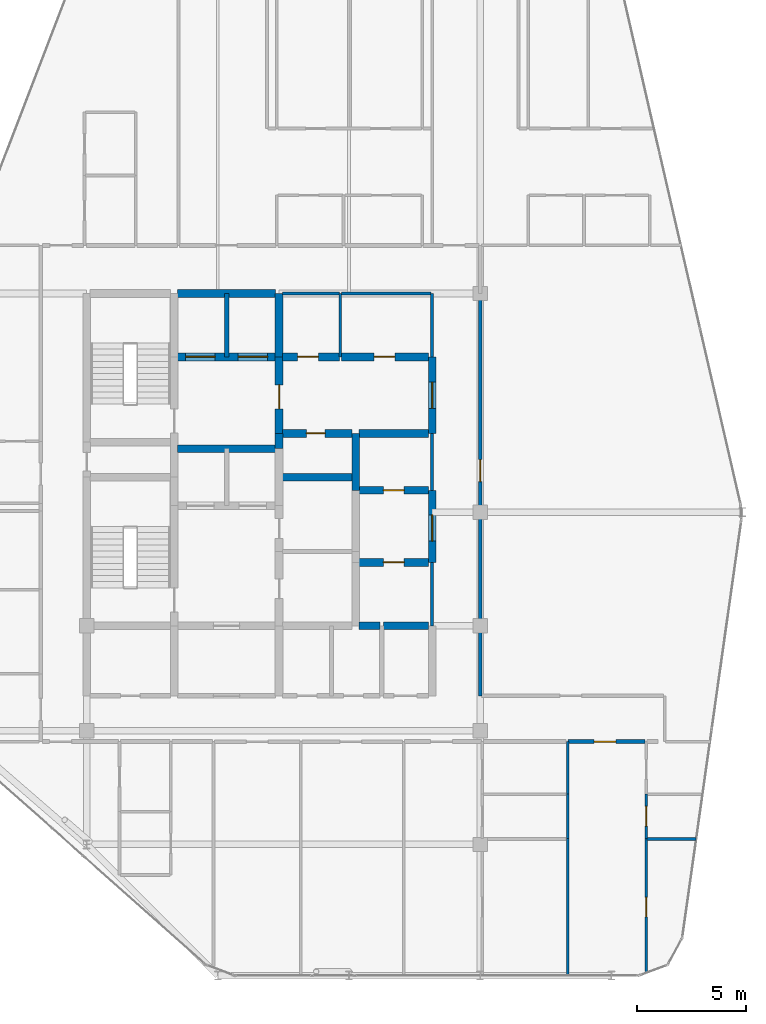
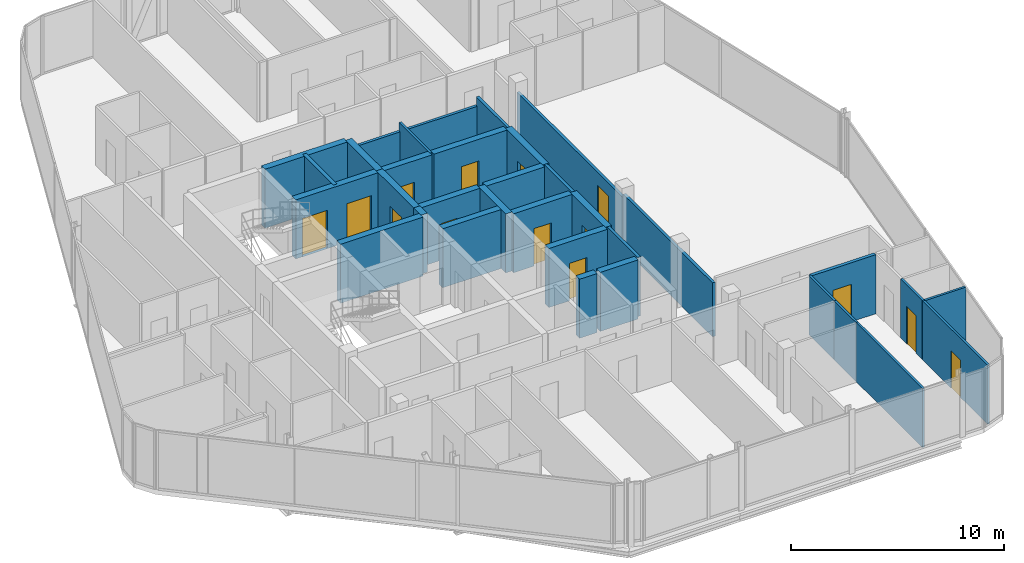
# One storey, part 24 of 27: 34 walls, 14 doors, 14 openings.
"""IFC4 building model written with IfcOpenShell, lengths in metres."""

from ifc_helpers import new_model, si_unit, direction, frame, frame_2d, origin, place, context, subcontext, project, spatial, rectangle, extrude, material, layer, layer_set, type_object, element, fill, save


model = new_model("IFC4")

# Units and contexts
model_context = context("Model", 3, precision=1e-05, world=origin(), true_north=direction((0.0, 1.0)))
body_context = subcontext(model_context, "Body", "Model", "MODEL_VIEW")
ifc_project = project(units=[si_unit("LENGTHUNIT", "METRE"), si_unit("AREAUNIT", "SQUARE_METRE"), si_unit("VOLUMEUNIT", "CUBIC_METRE"), si_unit("PLANEANGLEUNIT", "RADIAN"), si_unit("MASSUNIT", "GRAM", prefix="KILO")], contexts=[model_context])

# Site, building, storey
site_placement = place(None, origin())
site = spatial("IfcSite", under=ifc_project, at=site_placement, CompositionType="ELEMENT")
building_placement = place(site_placement, origin())
building = spatial("IfcBuilding", under=site, at=building_placement, Name="Keshet Zoharim Tower", CompositionType="ELEMENT")
storey_placement = place(building_placement, frame((0.0, 0.0, 284.300048828125)))
storey = spatial("IfcBuildingStorey", under=building, at=storey_placement, Name="L71", CompositionType="ELEMENT", Elevation=284.300048828125)

# Walls
ifc_material_1 = material(Name="Gypsum Plasterboard", Category="gypsum")
ifc_layer_1 = layer(ifc_material_1, 0.14990234375)
ifc_layer_set_1 = layer_set([ifc_layer_1], Name="Gypsum Plasterboard")
wall_type_1 = type_object("IfcWallType", Name="WL-CLIN-150", PredefinedType="STANDARD", material=ifc_layer_set_1)
wall_1_placement = place(storey_placement, frame((30.800048828125, 22.699951171875, 0.0), z_axis=(0.0, 0.0, 1.0), x_axis=(0.0, 1.0, 0.0)))
element("IfcWall", 1, at=wall_1_placement, inside=storey, type_object=wall_type_1, Name="L71 Interior Wall 059", PredefinedType="STANDARD", context=body_context, shape_type="SweptSolid", body=[
    extrude(rectangle(XDim=2.900146484375, YDim=0.14990234375, at=frame_2d((1.4501953125, 0.0))), origin(), (0.0, 0.0, 1.0), 3.389892578125),
])
wall_2_placement = place(storey_placement, frame((30.800048828125, 28.89990234375, 0.0), z_axis=(0.0, 0.0, 1.0), x_axis=(0.0, 1.0, 0.0)))
element("IfcWall", 2, at=wall_2_placement, inside=storey, type_object=wall_type_1, Name="L71 Interior Wall 061", PredefinedType="STANDARD", context=body_context, shape_type="SweptSolid", body=[
    extrude(rectangle(XDim=2.60009765625, YDim=0.14990234375, at=frame_2d((1.300048828125, 0.0))), origin(), (0.0, 0.0, 1.0), 3.389892578125),
])
wall_3_placement = place(storey_placement, frame((30.800048828125, 35.0, 0.0), z_axis=(0.0, 0.0, 1.0), x_axis=(0.0, 1.0, 0.0)))
element("IfcWall", 3, at=wall_3_placement, inside=storey, type_object=wall_type_1, Name="L71 Interior Wall 063", PredefinedType="STANDARD", context=body_context, shape_type="SweptSolid", body=[
    extrude(rectangle(XDim=2.89990234375, YDim=0.14990234375, at=frame_2d((1.449951171875, 0.0))), origin(), (0.0, 0.0, 1.0), 3.389892578125),
])
wall_4_placement = place(storey_placement, frame((33.0, 19.5, 0.0), z_axis=(0.0, 0.0, 1.0), x_axis=(0.0, 1.0, 0.0)))
element("IfcWall", 4, at=wall_4_placement, inside=storey, type_object=wall_type_1, Name="L71 Interior Wall 065", PredefinedType="STANDARD", context=body_context, shape_type="SweptSolid", body=[
    extrude(rectangle(XDim=8.39990234375, YDim=0.14990234375, at=frame_2d((4.199951171875, 0.0))), origin(), (0.0, 0.0, 1.0), 3.099853515625),
])
wall_5_placement = place(storey_placement, frame((23.9599609375, 37.89990234375, 0.0), z_axis=(0.0, 0.0, 1.0), x_axis=(1.0, 0.0, 0.0)))
element("IfcWall", 5, at=wall_5_placement, inside=storey, type_object=wall_type_1, Name="L71 Interior Wall 135", PredefinedType="STANDARD", context=body_context, shape_type="SweptSolid", body=[
    extrude(rectangle(XDim=2.594970703125, YDim=0.14990234375, at=frame_2d((1.29736328125, 0.0))), origin(), (0.0, 0.0, 1.0), 2.889892578125),
])
wall_6_placement = place(storey_placement, frame((26.64501953125, 37.89990234375, 0.0), z_axis=(0.0, 0.0, 1.0), x_axis=(1.0, 0.0, 0.0)))
element("IfcWall", 6, at=wall_6_placement, inside=storey, type_object=wall_type_1, Name="L71 Interior Wall 136", PredefinedType="STANDARD", context=body_context, shape_type="SweptSolid", body=[
    extrude(rectangle(XDim=4.094970703125, YDim=0.14990234375, at=frame_2d((2.04736328125, 0.0))), origin(), (0.0, 0.0, 1.0), 2.889892578125),
])

# Wall, opening, door
wall_7_placement = place(storey_placement, frame((33.0, 27.89990234375, 0.0), z_axis=(0.0, 0.0, 1.0), x_axis=(0.0, 1.0, 0.0)))
wall_7 = element("IfcWall", 7, at=wall_7_placement, inside=storey, type_object=wall_type_1, Name="L71 Interior Wall 065 Part 2", PredefinedType="STANDARD", context=body_context, shape_type="SweptSolid", body=[
    extrude(rectangle(XDim=10.0, YDim=0.14990234375, at=frame_2d((5.0, 0.0))), origin(), (0.0, 0.0, 1.0), 2.889892578125),
])
opening_1_placement = place(wall_7_placement, frame((1.39990234375, 0.0, 0.0)))
opening_1 = element("IfcOpeningElement", 8, at=opening_1_placement, cuts=wall_7, Name="Opening D-F310", PredefinedType="OPENING", context=body_context, shape_type="SweptSolid", body=[
    extrude(rectangle(XDim=1.0, YDim=2.14990234375, at=frame_2d((0.5, 1.074951171875))), frame((0.0, 0.0849609375, 0.0), z_axis=(0.0, -1.0, 0.0), x_axis=(1.0, 0.0, 0.0)), (0.0, 0.0, 1.0), 0.169921875),
])
ifc_material_2 = material(Name="Hardwood Timber", Category="wood")
door_type_1 = type_object("IfcDoorType", Name="DR-FD30-100", OperationType="NOTDEFINED", PredefinedType="DOOR", material=ifc_material_2)
door_1_placement = place(opening_1_placement, origin())
door_1 = element("IfcDoor", 9, at=door_1_placement, inside=storey, type_object=door_type_1, Name="L71 North West Residents Services Suite Door 1", OperationType="SINGLE_SWING_LEFT", OverallHeight=2.14990234375, OverallWidth=1.0, PredefinedType="DOOR", context=body_context, shape_type="SweptSolid", body=[
    extrude(rectangle(XDim=1.0, YDim=2.14990234375, at=frame_2d((0.5, 1.074951171875))), frame((0.0, 0.02490234375, 0.0), z_axis=(0.0, -1.0, 0.0), x_axis=(1.0, 0.0, 0.0)), (0.0, 0.0, 1.0), 0.050048828125),
])
fill(opening_1, door_1)

# Wall
ifc_material_3 = material(Name="Concrete C60/75", Category="concrete")
ifc_layer_2 = layer(ifc_material_3, 0.35009765625)
ifc_layer_set_2 = layer_set([ifc_layer_2], Name="Concrete C60/75")
wall_type_2 = type_object("IfcWallType", Name="WL-CORE-350", PredefinedType="SHEAR", material=ifc_layer_set_2)
wall_8_placement = place(storey_placement, frame((23.800048828125, 30.800048828125, 0.0), z_axis=(0.0, 0.0, 1.0), x_axis=(0.0, 1.0, 0.0)))
element("IfcWall", 10, at=wall_8_placement, inside=storey, type_object=wall_type_2, Name="L71 Core Shear Wall 042", PredefinedType="SHEAR", context=body_context, shape_type="SweptSolid", body=[
    extrude(rectangle(XDim=0.699951171875, YDim=0.35009765625, at=frame_2d((0.35009765625, 0.0))), origin(), (0.0, 0.0, 1.0), 3.389892578125),
])

# Wall, opening, door
wall_9_placement = place(storey_placement, frame((23.800048828125, 31.5, 0.0), z_axis=(0.0, 0.0, 1.0), x_axis=(0.0, 1.0, 0.0)))
wall_9 = element("IfcWall", 11, at=wall_9_placement, inside=storey, type_object=wall_type_2, Name="L71 Core Shear Wall 043", PredefinedType="SHEAR", context=body_context, shape_type="SweptSolid", body=[
    extrude(rectangle(XDim=3.5, YDim=0.35009765625, at=frame_2d((1.75, 0.0))), origin(), (0.0, 0.0, 1.0), 3.389892578125),
])
opening_2_placement = place(wall_9_placement, frame((1.126953125, 0.0, 0.0)))
opening_2 = element("IfcOpeningElement", 12, at=opening_2_placement, cuts=wall_9, Name="Opening D-F611", PredefinedType="OPENING", context=body_context, shape_type="SweptSolid", body=[
    extrude(rectangle(XDim=1.10009765625, YDim=2.14990234375, at=frame_2d((0.550048828125, 1.074951171875))), frame((0.0, 0.18505859375, 0.0), z_axis=(0.0, -1.0, 0.0), x_axis=(1.0, 0.0, 0.0)), (0.0, 0.0, 1.0), 0.3701171875),
])
door_type_2 = type_object("IfcDoorType", Name="DR-FD60-110", OperationType="NOTDEFINED", PredefinedType="DOOR", material=ifc_material_2)
door_2_placement = place(opening_2_placement, origin())
door_2 = element("IfcDoor", 13, at=door_2_placement, inside=storey, type_object=door_type_2, Name="L71 Firefighting Lobby Fire Door", OperationType="SINGLE_SWING_RIGHT", OverallHeight=2.14990234375, OverallWidth=1.10009765625, PredefinedType="DOOR", context=body_context, shape_type="SweptSolid", body=[
    extrude(rectangle(XDim=1.10009765625, YDim=2.14990234375, at=frame_2d((0.550048828125, 1.074951171875))), frame((0.0, 0.02490234375, 0.0), z_axis=(0.0, -1.0, 0.0), x_axis=(1.0, 0.0, 0.0)), (0.0, 0.0, 1.0), 0.050048828125),
])
fill(opening_2, door_2)

# Walls
wall_10_placement = place(storey_placement, frame((23.800048828125, 35.0, 0.0), z_axis=(0.0, 0.0, 1.0), x_axis=(0.0, 1.0, 0.0)))
element("IfcWall", 14, at=wall_10_placement, inside=storey, type_object=wall_type_2, Name="L71 Core Shear Wall 044", PredefinedType="SHEAR", context=body_context, shape_type="SweptSolid", body=[
    extrude(rectangle(XDim=2.89990234375, YDim=0.35009765625, at=frame_2d((1.449951171875, 0.0))), origin(), (0.0, 0.0, 1.0), 3.389892578125),
])
wall_11_placement = place(storey_placement, frame((27.300048828125, 28.89990234375, 0.0), z_axis=(0.0, 0.0, 1.0), x_axis=(0.0, 1.0, 0.0)))
element("IfcWall", 15, at=wall_11_placement, inside=storey, type_object=wall_type_2, Name="L71 Core Shear Wall 053", PredefinedType="SHEAR", context=body_context, shape_type="SweptSolid", body=[
    extrude(rectangle(XDim=2.60009765625, YDim=0.35009765625, at=frame_2d((1.300048828125, 0.0))), origin(), (0.0, 0.0, 1.0), 3.389892578125),
])

# Wall, opening, door
wall_12_placement = place(storey_placement, frame((30.800048828125, 25.60009765625, 0.0), z_axis=(0.0, 0.0, 1.0), x_axis=(0.0, 1.0, 0.0)))
wall_12 = element("IfcWall", 16, at=wall_12_placement, inside=storey, type_object=wall_type_2, Name="L71 Core Shear Wall 060", PredefinedType="SHEAR", context=body_context, shape_type="SweptSolid", body=[
    extrude(rectangle(XDim=3.2998046875, YDim=0.35009765625, at=frame_2d((1.64990234375, 0.0))), origin(), (0.0, 0.0, 1.0), 3.389892578125),
])
opening_3_placement = place(wall_12_placement, frame((0.97802734375, 0.0, 0.0)))
opening_3 = element("IfcOpeningElement", 17, at=opening_3_placement, cuts=wall_12, Name="Opening D-F612", PredefinedType="OPENING", context=body_context, shape_type="SweptSolid", body=[
    extrude(rectangle(XDim=1.199951171875, YDim=2.199951171875, at=frame_2d((0.60009765625, 1.10009765625))), frame((0.0, 0.18505859375, 0.0), z_axis=(0.0, -1.0, 0.0), x_axis=(1.0, 0.0, 0.0)), (0.0, 0.0, 1.0), 0.3701171875),
])
door_type_3 = type_object("IfcDoorType", Name="DR-FD60-120", OperationType="NOTDEFINED", PredefinedType="DOOR", material=ifc_material_2)
door_3_placement = place(opening_3_placement, origin())
door_3 = element("IfcDoor", 18, at=door_3_placement, inside=storey, type_object=door_type_3, Name="L71 East Lift Lobby Fire Door", OperationType="SINGLE_SWING_LEFT", OverallHeight=2.199951171875, OverallWidth=1.199951171875, PredefinedType="DOOR", context=body_context, shape_type="SweptSolid", body=[
    extrude(rectangle(XDim=1.199951171875, YDim=2.199951171875, at=frame_2d((0.60009765625, 1.10009765625))), frame((0.0, 0.02490234375, 0.0), z_axis=(0.0, -1.0, 0.0), x_axis=(1.0, 0.0, 0.0)), (0.0, 0.0, 1.0), 0.050048828125),
])
fill(opening_3, door_3)

wall_13_placement = place(storey_placement, frame((30.800048828125, 31.5, 0.0), z_axis=(0.0, 0.0, 1.0), x_axis=(0.0, 1.0, 0.0)))
wall_13 = element("IfcWall", 19, at=wall_13_placement, inside=storey, type_object=wall_type_2, Name="L71 Core Shear Wall 062", PredefinedType="SHEAR", context=body_context, shape_type="SweptSolid", body=[
    extrude(rectangle(XDim=3.5, YDim=0.35009765625, at=frame_2d((1.75, 0.0))), origin(), (0.0, 0.0, 1.0), 3.389892578125),
])
opening_4_placement = place(wall_13_placement, frame((1.14990234375, 0.0, 0.0)))
opening_4 = element("IfcOpeningElement", 20, at=opening_4_placement, cuts=wall_13, Name="Opening D-F612", PredefinedType="OPENING", context=body_context, shape_type="SweptSolid", body=[
    extrude(rectangle(XDim=1.199951171875, YDim=2.199951171875, at=frame_2d((0.60009765625, 1.10009765625))), frame((0.0, 0.18505859375, 0.0), z_axis=(0.0, -1.0, 0.0), x_axis=(1.0, 0.0, 0.0)), (0.0, 0.0, 1.0), 0.3701171875),
])
door_4_placement = place(opening_4_placement, origin())
door_4 = element("IfcDoor", 21, at=door_4_placement, inside=storey, type_object=door_type_3, Name="L71 North Lift Lobby East Fire Door", OperationType="SINGLE_SWING_RIGHT", OverallHeight=2.199951171875, OverallWidth=1.199951171875, PredefinedType="DOOR", context=body_context, shape_type="SweptSolid", body=[
    extrude(rectangle(XDim=1.199951171875, YDim=2.199951171875, at=frame_2d((0.60009765625, 1.10009765625))), frame((0.0, 0.02490234375, 0.0), z_axis=(0.0, -1.0, 0.0), x_axis=(1.0, 0.0, 0.0)), (0.0, 0.0, 1.0), 0.050048828125),
])
fill(opening_4, door_4)

# Walls
wall_14_placement = place(storey_placement, frame((27.4599609375, 22.699951171875, 0.0), z_axis=(0.0, 0.0, 1.0), x_axis=(1.0, 0.0, 0.0)))
element("IfcWall", 22, at=wall_14_placement, inside=storey, type_object=wall_type_2, Name="L71 Core Shear Wall 110", PredefinedType="SHEAR", context=body_context, shape_type="SweptSolid", body=[
    extrude(rectangle(XDim=0.955078125, YDim=0.35009765625, at=frame_2d((0.4775390625, 0.0))), origin(), (0.0, 0.0, 1.0), 3.389892578125),
])
wall_15_placement = place(storey_placement, frame((28.5849609375, 22.699951171875, 0.0), z_axis=(0.0, 0.0, 1.0), x_axis=(1.0, 0.0, 0.0)))
element("IfcWall", 23, at=wall_15_placement, inside=storey, type_object=wall_type_2, Name="L71 Core Shear Wall 111", PredefinedType="SHEAR", context=body_context, shape_type="SweptSolid", body=[
    extrude(rectangle(XDim=2.054931640625, YDim=0.35009765625, at=frame_2d((1.02734375, 0.0))), origin(), (0.0, 0.0, 1.0), 3.389892578125),
])

# Wall, opening, door
wall_16_placement = place(storey_placement, frame((27.4599609375, 25.60009765625, 0.0), z_axis=(0.0, 0.0, 1.0), x_axis=(1.0, 0.0, 0.0)))
wall_16 = element("IfcWall", 24, at=wall_16_placement, inside=storey, type_object=wall_type_2, Name="L71 Core Shear Wall 114", PredefinedType="SHEAR", context=body_context, shape_type="SweptSolid", body=[
    extrude(rectangle(XDim=3.179931640625, YDim=0.35009765625, at=frame_2d((1.58984375, 0.0))), origin(), (0.0, 0.0, 1.0), 3.389892578125),
])
opening_5_placement = place(wall_16_placement, frame((1.114990234375, 0.0, 0.0)))
opening_5 = element("IfcOpeningElement", 25, at=opening_5_placement, cuts=wall_16, Name="Opening D-F695", PredefinedType="OPENING", context=body_context, shape_type="SweptSolid", body=[
    extrude(rectangle(XDim=0.949951171875, YDim=2.14990234375, at=frame_2d((0.47509765625, 1.074951171875))), frame((0.0, 0.18505859375, 0.0), z_axis=(0.0, -1.0, 0.0), x_axis=(1.0, 0.0, 0.0)), (0.0, 0.0, 1.0), 0.3701171875),
])
door_type_4 = type_object("IfcDoorType", Name="DR-FD60-095", OperationType="NOTDEFINED", PredefinedType="DOOR", material=ifc_material_2)
door_5_placement = place(opening_5_placement, origin())
door_5 = element("IfcDoor", 26, at=door_5_placement, inside=storey, type_object=door_type_4, Name="L71 Study Alcove Door", OperationType="SINGLE_SWING_RIGHT", OverallHeight=2.14990234375, OverallWidth=0.949951171875, PredefinedType="DOOR", context=body_context, shape_type="SweptSolid", body=[
    extrude(rectangle(XDim=0.949951171875, YDim=2.14990234375, at=frame_2d((0.47509765625, 1.074951171875))), frame((0.0, 0.02490234375, 0.0), z_axis=(0.0, -1.0, 0.0), x_axis=(1.0, 0.0, 0.0)), (0.0, 0.0, 1.0), 0.050048828125),
])
fill(opening_5, door_5)

wall_17_placement = place(storey_placement, frame((27.4599609375, 28.89990234375, 0.0), z_axis=(0.0, 0.0, 1.0), x_axis=(1.0, 0.0, 0.0)))
wall_17 = element("IfcWall", 27, at=wall_17_placement, inside=storey, type_object=wall_type_2, Name="L71 Core Shear Wall 121", PredefinedType="SHEAR", context=body_context, shape_type="SweptSolid", body=[
    extrude(rectangle(XDim=3.179931640625, YDim=0.35009765625, at=frame_2d((1.58984375, 0.0))), origin(), (0.0, 0.0, 1.0), 3.389892578125),
])
opening_6_placement = place(wall_17_placement, frame((1.114990234375, 0.0, 0.0)))
opening_6 = element("IfcOpeningElement", 28, at=opening_6_placement, cuts=wall_17, Name="Opening D-F695", PredefinedType="OPENING", context=body_context, shape_type="SweptSolid", body=[
    extrude(rectangle(XDim=0.949951171875, YDim=2.14990234375, at=frame_2d((0.47509765625, 1.074951171875))), frame((0.0, 0.18505859375, 0.0), z_axis=(0.0, -1.0, 0.0), x_axis=(1.0, 0.0, 0.0)), (0.0, 0.0, 1.0), 0.3701171875),
])
door_6_placement = place(opening_6_placement, frame((0.949951171875, 0.0, 0.0), z_axis=(0.0, 0.0, 1.0), x_axis=(-1.0, 0.0, 0.0)))
door_6 = element("IfcDoor", 29, at=door_6_placement, inside=storey, type_object=door_type_4, Name="L71 Parcel Store Door", OperationType="SINGLE_SWING_LEFT", OverallHeight=2.14990234375, OverallWidth=0.949951171875, PredefinedType="DOOR", context=body_context, shape_type="SweptSolid", body=[
    extrude(rectangle(XDim=0.949951171875, YDim=2.14990234375, at=frame_2d((0.47509765625, 1.074951171875))), frame((0.0, 0.02490234375, 0.0), z_axis=(0.0, -1.0, 0.0), x_axis=(1.0, 0.0, 0.0)), (0.0, 0.0, 1.0), 0.050048828125),
])
fill(opening_6, door_6)

# Walls
wall_18_placement = place(storey_placement, frame((23.9599609375, 29.5, 0.0), z_axis=(0.0, 0.0, 1.0), x_axis=(1.0, 0.0, 0.0)))
element("IfcWall", 30, at=wall_18_placement, inside=storey, type_object=wall_type_2, Name="L71 Core Shear Wall 123", PredefinedType="SHEAR", context=body_context, shape_type="SweptSolid", body=[
    extrude(rectangle(XDim=3.179931640625, YDim=0.35009765625, at=frame_2d((1.58984375, 0.0))), origin(), (0.0, 0.0, 1.0), 3.389892578125),
])
wall_19_placement = place(storey_placement, frame((19.159912109375, 30.800048828125, 0.0), z_axis=(0.0, 0.0, 1.0), x_axis=(1.0, 0.0, 0.0)))
element("IfcWall", 31, at=wall_19_placement, inside=storey, type_object=wall_type_2, Name="L71 Core Shear Wall 124", PredefinedType="SHEAR", context=body_context, shape_type="SweptSolid", body=[
    extrude(rectangle(XDim=4.47998046875, YDim=0.35009765625, at=frame_2d((2.239990234375, 0.0))), origin(), (0.0, 0.0, 1.0), 3.389892578125),
])

# Wall, opening, door
wall_20_placement = place(storey_placement, frame((23.9599609375, 31.5, 0.0), z_axis=(0.0, 0.0, 1.0), x_axis=(1.0, 0.0, 0.0)))
wall_20 = element("IfcWall", 32, at=wall_20_placement, inside=storey, type_object=wall_type_2, Name="L71 Core Shear Wall 128", PredefinedType="SHEAR", context=body_context, shape_type="SweptSolid", body=[
    extrude(rectangle(XDim=3.179931640625, YDim=0.35009765625, at=frame_2d((1.58984375, 0.0))), origin(), (0.0, 0.0, 1.0), 3.389892578125),
])
opening_7_placement = place(wall_20_placement, frame((1.093994140625, 0.0, 0.0)))
opening_7 = element("IfcOpeningElement", 33, at=opening_7_placement, cuts=wall_20, Name="Opening D-RS85", PredefinedType="OPENING", context=body_context, shape_type="SweptSolid", body=[
    extrude(rectangle(XDim=0.85009765625, YDim=2.10009765625, at=frame_2d((0.425048828125, 1.050048828125))), frame((0.0, 0.18505859375, 0.0), z_axis=(0.0, -1.0, 0.0), x_axis=(1.0, 0.0, 0.0)), (0.0, 0.0, 1.0), 0.3701171875),
])
door_type_5 = type_object("IfcDoorType", Name="DR-RIS-085", OperationType="NOTDEFINED", PredefinedType="DOOR", material=ifc_material_2)
door_7_placement = place(opening_7_placement, origin())
door_7 = element("IfcDoor", 34, at=door_7_placement, inside=storey, type_object=door_type_5, Name="L71 Telecom Riser Access Cupboard Door", OperationType="SINGLE_SWING_RIGHT", OverallHeight=2.10009765625, OverallWidth=0.85009765625, PredefinedType="DOOR", context=body_context, shape_type="SweptSolid", body=[
    extrude(rectangle(XDim=0.85009765625, YDim=2.10009765625, at=frame_2d((0.425048828125, 1.050048828125))), frame((0.0, 0.02490234375, 0.0), z_axis=(0.0, -1.0, 0.0), x_axis=(1.0, 0.0, 0.0)), (0.0, 0.0, 1.0), 0.050048828125),
])
fill(opening_7, door_7)

# Wall
wall_21_placement = place(storey_placement, frame((27.4599609375, 31.5, 0.0), z_axis=(0.0, 0.0, 1.0), x_axis=(1.0, 0.0, 0.0)))
element("IfcWall", 35, at=wall_21_placement, inside=storey, type_object=wall_type_2, Name="L71 Core Shear Wall 129", PredefinedType="SHEAR", context=body_context, shape_type="SweptSolid", body=[
    extrude(rectangle(XDim=3.179931640625, YDim=0.35009765625, at=frame_2d((1.58984375, 0.0))), origin(), (0.0, 0.0, 1.0), 3.389892578125),
])

# Wall, openings, doors
wall_22_placement = place(storey_placement, frame((19.159912109375, 35.0, 0.0), z_axis=(0.0, 0.0, 1.0), x_axis=(1.0, 0.0, 0.0)))
wall_22 = element("IfcWall", 36, at=wall_22_placement, inside=storey, type_object=wall_type_2, Name="L71 Core Shear Wall 130", PredefinedType="SHEAR", context=body_context, shape_type="SweptSolid", body=[
    extrude(rectangle(XDim=4.47998046875, YDim=0.35009765625, at=frame_2d((2.239990234375, 0.0))), origin(), (0.0, 0.0, 1.0), 3.389892578125),
])
opening_8_placement = place(wall_22_placement, frame((0.364990234375, 0.0, 0.0)))
opening_8 = element("IfcOpeningElement", 37, at=opening_8_placement, cuts=wall_22, Name="Opening LD-02", PredefinedType="OPENING", context=body_context, shape_type="SweptSolid", body=[
    extrude(rectangle(XDim=1.35009765625, YDim=2.199951171875, at=frame_2d((0.675048828125, 1.10009765625))), frame((0.0, 0.18505859375, 0.0), z_axis=(0.0, -1.0, 0.0), x_axis=(1.0, 0.0, 0.0)), (0.0, 0.0, 1.0), 0.3701171875),
])
opening_9_placement = place(wall_22_placement, frame((2.764892578125, 0.0, 0.0)))
opening_9 = element("IfcOpeningElement", 38, at=opening_9_placement, cuts=wall_22, Name="Opening LD-02", PredefinedType="OPENING", context=body_context, shape_type="SweptSolid", body=[
    extrude(rectangle(XDim=1.35009765625, YDim=2.199951171875, at=frame_2d((0.675048828125, 1.10009765625))), frame((0.0, 0.18505859375, 0.0), z_axis=(0.0, -1.0, 0.0), x_axis=(1.0, 0.0, 0.0)), (0.0, 0.0, 1.0), 0.3701171875),
])
ifc_material_4 = material(Name="Steel S355", Category="steel")
door_type_6 = type_object("IfcDoorType", Name="DR-LD02-135", OperationType="DOUBLE_DOOR_SLIDING", PredefinedType="DOOR", material=ifc_material_4)
door_8_placement = place(opening_8_placement, origin())
door_8 = element("IfcDoor", 39, at=door_8_placement, inside=storey, type_object=door_type_6, Name="L71 Firefighting Lift Landing Door FF-01", OperationType="DOUBLE_DOOR_SLIDING", OverallHeight=2.199951171875, OverallWidth=1.35009765625, PredefinedType="DOOR", context=body_context, shape_type="SweptSolid", body=[
    extrude(rectangle(XDim=1.35009765625, YDim=2.199951171875, at=frame_2d((0.675048828125, 1.10009765625))), frame((0.0, 0.02490234375, 0.0), z_axis=(0.0, -1.0, 0.0), x_axis=(1.0, 0.0, 0.0)), (0.0, 0.0, 1.0), 0.050048828125),
])
fill(opening_8, door_8)
door_9_placement = place(opening_9_placement, origin())
door_9 = element("IfcDoor", 40, at=door_9_placement, inside=storey, type_object=door_type_6, Name="L71 Firefighting Lift Landing Door FF-02", OperationType="DOUBLE_DOOR_SLIDING", OverallHeight=2.199951171875, OverallWidth=1.35009765625, PredefinedType="DOOR", context=body_context, shape_type="SweptSolid", body=[
    extrude(rectangle(XDim=1.35009765625, YDim=2.199951171875, at=frame_2d((0.675048828125, 1.10009765625))), frame((0.0, 0.02490234375, 0.0), z_axis=(0.0, -1.0, 0.0), x_axis=(1.0, 0.0, 0.0)), (0.0, 0.0, 1.0), 0.050048828125),
])
fill(opening_9, door_9)

# Wall, opening, door
wall_23_placement = place(storey_placement, frame((23.9599609375, 35.0, 0.0), z_axis=(0.0, 0.0, 1.0), x_axis=(1.0, 0.0, 0.0)))
wall_23 = element("IfcWall", 41, at=wall_23_placement, inside=storey, type_object=wall_type_2, Name="L71 Core Shear Wall 131", PredefinedType="SHEAR", context=body_context, shape_type="SweptSolid", body=[
    extrude(rectangle(XDim=2.594970703125, YDim=0.35009765625, at=frame_2d((1.29736328125, 0.0))), origin(), (0.0, 0.0, 1.0), 3.389892578125),
])
opening_10_placement = place(wall_23_placement, frame((0.69091796875, 0.0, 0.0)))
opening_10 = element("IfcOpeningElement", 42, at=opening_10_placement, cuts=wall_23, Name="Opening D-F695", PredefinedType="OPENING", context=body_context, shape_type="SweptSolid", body=[
    extrude(rectangle(XDim=0.949951171875, YDim=2.14990234375, at=frame_2d((0.47509765625, 1.074951171875))), frame((0.0, 0.18505859375, 0.0), z_axis=(0.0, -1.0, 0.0), x_axis=(1.0, 0.0, 0.0)), (0.0, 0.0, 1.0), 0.3701171875),
])
door_10_placement = place(opening_10_placement, frame((0.949951171875, 0.0, 0.0), z_axis=(0.0, 0.0, 1.0), x_axis=(-1.0, 0.0, 0.0)))
door_10 = element("IfcDoor", 43, at=door_10_placement, inside=storey, type_object=door_type_4, Name="L71 Laundry Room Door", OperationType="SINGLE_SWING_LEFT", OverallHeight=2.14990234375, OverallWidth=0.949951171875, PredefinedType="DOOR", context=body_context, shape_type="SweptSolid", body=[
    extrude(rectangle(XDim=0.949951171875, YDim=2.14990234375, at=frame_2d((0.47509765625, 1.074951171875))), frame((0.0, 0.02490234375, 0.0), z_axis=(0.0, -1.0, 0.0), x_axis=(1.0, 0.0, 0.0)), (0.0, 0.0, 1.0), 0.050048828125),
])
fill(opening_10, door_10)

wall_24_placement = place(storey_placement, frame((26.64501953125, 35.0, 0.0), z_axis=(0.0, 0.0, 1.0), x_axis=(1.0, 0.0, 0.0)))
wall_24 = element("IfcWall", 44, at=wall_24_placement, inside=storey, type_object=wall_type_2, Name="L71 Core Shear Wall 132", PredefinedType="SHEAR", context=body_context, shape_type="SweptSolid", body=[
    extrude(rectangle(XDim=3.994873046875, YDim=0.35009765625, at=frame_2d((1.99755859375, 0.0))), origin(), (0.0, 0.0, 1.0), 3.389892578125),
])
opening_11_placement = place(wall_24_placement, frame((1.508056640625, 0.0, 0.0)))
opening_11 = element("IfcOpeningElement", 45, at=opening_11_placement, cuts=wall_24, Name="Opening D-F695", PredefinedType="OPENING", context=body_context, shape_type="SweptSolid", body=[
    extrude(rectangle(XDim=0.949951171875, YDim=2.14990234375, at=frame_2d((0.47509765625, 1.074951171875))), frame((0.0, 0.18505859375, 0.0), z_axis=(0.0, -1.0, 0.0), x_axis=(1.0, 0.0, 0.0)), (0.0, 0.0, 1.0), 0.3701171875),
])
door_11_placement = place(opening_11_placement, frame((0.949951171875, 0.0, 0.0), z_axis=(0.0, 0.0, 1.0), x_axis=(-1.0, 0.0, 0.0)))
door_11 = element("IfcDoor", 46, at=door_11_placement, inside=storey, type_object=door_type_4, Name="L71 Quiet Study Room Door", OperationType="SINGLE_SWING_RIGHT", OverallHeight=2.14990234375, OverallWidth=0.949951171875, PredefinedType="DOOR", context=body_context, shape_type="SweptSolid", body=[
    extrude(rectangle(XDim=0.949951171875, YDim=2.14990234375, at=frame_2d((0.47509765625, 1.074951171875))), frame((0.0, 0.02490234375, 0.0), z_axis=(0.0, -1.0, 0.0), x_axis=(1.0, 0.0, 0.0)), (0.0, 0.0, 1.0), 0.050048828125),
])
fill(opening_11, door_11)

# Wall
wall_25_placement = place(storey_placement, frame((19.159912109375, 37.89990234375, 0.0), z_axis=(0.0, 0.0, 1.0), x_axis=(1.0, 0.0, 0.0)))
element("IfcWall", 47, at=wall_25_placement, inside=storey, type_object=wall_type_2, Name="L71 Core Shear Wall 134", PredefinedType="SHEAR", context=body_context, shape_type="SweptSolid", body=[
    extrude(rectangle(XDim=4.47998046875, YDim=0.35009765625, at=frame_2d((2.239990234375, 0.0))), origin(), (0.0, 0.0, 1.0), 3.389892578125),
])

# Wall, opening, door
ifc_layer_3 = layer(ifc_material_1, 0.179931640625)
ifc_layer_set_3 = layer_set([ifc_layer_3], Name="Gypsum Plasterboard")
wall_type_3 = type_object("IfcWallType", Name="WL-CORR-180", PredefinedType="STANDARD", material=ifc_layer_set_3)
wall_26_placement = place(storey_placement, frame((37.02490234375, 17.39990234375, 0.0), z_axis=(0.0, 0.0, 1.0), x_axis=(1.0, 0.0, 0.0)))
wall_26 = element("IfcWall", 48, at=wall_26_placement, inside=storey, type_object=wall_type_3, Name="L71 Interior Wall 096", PredefinedType="STANDARD", context=body_context, shape_type="SweptSolid", body=[
    extrude(rectangle(XDim=3.510009765625, YDim=0.179931640625, at=frame_2d((1.7548828125, 0.0))), origin(), (0.0, 0.0, 1.0), 3.389892578125),
])
opening_12_placement = place(wall_26_placement, frame((1.18505859375, 0.0, 0.0)))
opening_12 = element("IfcOpeningElement", 49, at=opening_12_placement, cuts=wall_26, Name="Opening D-F310", PredefinedType="OPENING", context=body_context, shape_type="SweptSolid", body=[
    extrude(rectangle(XDim=1.0, YDim=2.14990234375, at=frame_2d((0.5, 1.074951171875))), frame((0.0, 0.10009765625, 0.0), z_axis=(0.0, -1.0, 0.0), x_axis=(1.0, 0.0, 0.0)), (0.0, 0.0, 1.0), 0.199951171875),
])
door_12_placement = place(opening_12_placement, origin())
door_12 = element("IfcDoor", 50, at=door_12_placement, inside=storey, type_object=door_type_1, Name="Apartment 7103 Entrance Door", OperationType="SINGLE_SWING_RIGHT", OverallHeight=2.14990234375, OverallWidth=1.0, PredefinedType="DOOR", context=body_context, shape_type="SweptSolid", body=[
    extrude(rectangle(XDim=1.0, YDim=2.14990234375, at=frame_2d((0.5, 1.074951171875))), frame((0.0, 0.02490234375, 0.0), z_axis=(0.0, -1.0, 0.0), x_axis=(1.0, 0.0, 0.0)), (0.0, 0.0, 1.0), 0.050048828125),
])
fill(opening_12, door_12)

# Walls
ifc_material_5 = material(Name="Concrete C50/60", Category="concrete")
ifc_layer_4 = layer(ifc_material_5, 0.199951171875)
ifc_layer_set_4 = layer_set([ifc_layer_4], Name="Concrete C50/60")
wall_type_4 = type_object("IfcWallType", Name="WL-FIRE-200", PredefinedType="STANDARD", material=ifc_layer_set_4)
wall_27_placement = place(storey_placement, frame((21.39990234375, 35.0, 0.0), z_axis=(0.0, 0.0, 1.0), x_axis=(0.0, 1.0, 0.0)))
element("IfcWall", 51, at=wall_27_placement, inside=storey, type_object=wall_type_4, Name="L71 Interior Wall 034", PredefinedType="STANDARD", context=body_context, shape_type="SweptSolid", body=[
    extrude(rectangle(XDim=2.89990234375, YDim=0.199951171875, at=frame_2d((1.449951171875, 0.0))), origin(), (0.0, 0.0, 1.0), 3.389892578125),
])
ifc_layer_5 = layer(ifc_material_1, 0.1201171875)
ifc_layer_set_5 = layer_set([ifc_layer_5], Name="Gypsum Plasterboard")
wall_type_5 = type_object("IfcWallType", Name="WL-PART-120", PredefinedType="PARTITIONING", material=ifc_layer_set_5)
wall_28_placement = place(storey_placement, frame((26.60009765625, 35.0, 0.0), z_axis=(0.0, 0.0, 1.0), x_axis=(0.0, 1.0, 0.0)))
element("IfcWall", 52, at=wall_28_placement, inside=storey, type_object=wall_type_5, Name="L71 Interior Wall 047", PredefinedType="PARTITIONING", context=body_context, shape_type="SweptSolid", body=[
    extrude(rectangle(XDim=2.89990234375, YDim=0.1201171875, at=frame_2d((1.449951171875, 0.0))), origin(), (0.0, 0.0, 1.0), 3.389892578125),
])
wall_29_placement = place(storey_placement, frame((37.0, 6.7099609375, 0.0), z_axis=(0.0, 0.0, 1.0), x_axis=(0.0, 1.0, 0.0)))
element("IfcWall", 53, at=wall_29_placement, inside=storey, type_object=wall_type_5, Name="L71 Interior Wall 072", PredefinedType="PARTITIONING", context=body_context, shape_type="SweptSolid", body=[
    extrude(rectangle(XDim=6.260009765625, YDim=0.1201171875, at=frame_2d((3.1298828125, 0.0))), origin(), (0.0, 0.0, 1.0), 3.389892578125),
])
wall_30_placement = place(storey_placement, frame((37.0, 12.969970703125, 0.0), z_axis=(0.0, 0.0, 1.0), x_axis=(0.0, 1.0, 0.0)))
element("IfcWall", 54, at=wall_30_placement, inside=storey, type_object=wall_type_5, Name="L71 Interior Wall 073", PredefinedType="PARTITIONING", context=body_context, shape_type="SweptSolid", body=[
    extrude(rectangle(XDim=2.0380859375, YDim=0.1201171875, at=frame_2d((1.01904296875, 0.0))), origin(), (0.0, 0.0, 1.0), 3.389892578125),
])

# Wall, opening, door
wall_31_placement = place(storey_placement, frame((40.60009765625, 6.8359375, 0.0), z_axis=(0.0, 0.0, 1.0), x_axis=(0.0, 1.0, 0.0)))
wall_31 = element("IfcWall", 55, at=wall_31_placement, inside=storey, type_object=wall_type_5, Name="L71 Interior Wall 077", PredefinedType="PARTITIONING", context=body_context, shape_type="SweptSolid", body=[
    extrude(rectangle(XDim=6.134033203125, YDim=0.1201171875, at=frame_2d((3.06689453125, 0.0))), origin(), (0.0, 0.0, 1.0), 3.389892578125),
])
opening_13_placement = place(wall_31_placement, frame((2.547119140625, 0.0, 0.0)))
opening_13 = element("IfcOpeningElement", 56, at=opening_13_placement, cuts=wall_31, Name="Opening D-IN90", PredefinedType="OPENING", context=body_context, shape_type="SweptSolid", body=[
    extrude(rectangle(XDim=0.89990234375, YDim=2.14990234375, at=frame_2d((0.449951171875, 1.074951171875))), frame((0.0, 0.070068359375, 0.0), z_axis=(0.0, -1.0, 0.0), x_axis=(1.0, 0.0, 0.0)), (0.0, 0.0, 1.0), 0.14013671875),
])
door_type_7 = type_object("IfcDoorType", Name="DR-INT-090", OperationType="NOTDEFINED", PredefinedType="DOOR", material=ifc_material_2)
door_13_placement = place(opening_13_placement, origin())
door_13 = element("IfcDoor", 57, at=door_13_placement, inside=storey, type_object=door_type_7, Name="Apartment 7103 Bedroom 1 Door", OperationType="SINGLE_SWING_LEFT", OverallHeight=2.14990234375, OverallWidth=0.89990234375, PredefinedType="DOOR", context=body_context, shape_type="SweptSolid", body=[
    extrude(rectangle(XDim=0.89990234375, YDim=2.14990234375, at=frame_2d((0.449951171875, 1.074951171875))), frame((0.0, 0.02490234375, 0.0), z_axis=(0.0, -1.0, 0.0), x_axis=(1.0, 0.0, 0.0)), (0.0, 0.0, 1.0), 0.050048828125),
])
fill(opening_13, door_13)

wall_32_placement = place(storey_placement, frame((40.60009765625, 12.969970703125, 0.0), z_axis=(0.0, 0.0, 1.0), x_axis=(0.0, 1.0, 0.0)))
wall_32 = element("IfcWall", 58, at=wall_32_placement, inside=storey, type_object=wall_type_5, Name="L71 Interior Wall 078", PredefinedType="PARTITIONING", context=body_context, shape_type="SweptSolid", body=[
    extrude(rectangle(XDim=2.0380859375, YDim=0.1201171875, at=frame_2d((1.01904296875, 0.0))), origin(), (0.0, 0.0, 1.0), 3.389892578125),
])
opening_14_placement = place(wall_32_placement, frame((0.569091796875, 0.0, 0.0)))
opening_14 = element("IfcOpeningElement", 59, at=opening_14_placement, cuts=wall_32, Name="Opening D-IN90", PredefinedType="OPENING", context=body_context, shape_type="SweptSolid", body=[
    extrude(rectangle(XDim=0.89990234375, YDim=2.14990234375, at=frame_2d((0.449951171875, 1.074951171875))), frame((0.0, 0.070068359375, 0.0), z_axis=(0.0, -1.0, 0.0), x_axis=(1.0, 0.0, 0.0)), (0.0, 0.0, 1.0), 0.14013671875),
])
door_14_placement = place(opening_14_placement, origin())
door_14 = element("IfcDoor", 60, at=door_14_placement, inside=storey, type_object=door_type_7, Name="Apartment 7103 Kitchen Door", OperationType="SINGLE_SWING_RIGHT", OverallHeight=2.14990234375, OverallWidth=0.89990234375, PredefinedType="DOOR", context=body_context, shape_type="SweptSolid", body=[
    extrude(rectangle(XDim=0.89990234375, YDim=2.14990234375, at=frame_2d((0.449951171875, 1.074951171875))), frame((0.0, 0.02490234375, 0.0), z_axis=(0.0, -1.0, 0.0), x_axis=(1.0, 0.0, 0.0)), (0.0, 0.0, 1.0), 0.050048828125),
])
fill(opening_14, door_14)

# Walls
wall_33_placement = place(storey_placement, frame((40.625, 12.949951171875, 0.0), z_axis=(0.0, 0.0, 1.0), x_axis=(1.0, 0.0, 0.0)))
element("IfcWall", 61, at=wall_33_placement, inside=storey, type_object=wall_type_5, Name="L71 Interior Wall 084", PredefinedType="PARTITIONING", context=body_context, shape_type="SweptSolid", body=[
    extrude(rectangle(XDim=2.2490234375, YDim=0.1201171875, at=frame_2d((1.12451171875, 0.0))), origin(), (0.0, 0.0, 1.0), 3.389892578125),
])
ifc_layer_6 = layer(ifc_material_1, 0.1201171875)
ifc_layer_set_6 = layer_set([ifc_layer_6], Name="Gypsum Plasterboard")
wall_type_6 = type_object("IfcWallType", Name="WL-WET-120", PredefinedType="PARTITIONING", material=ifc_layer_set_6)
wall_34_placement = place(storey_placement, frame((37.0, 15.008056640625, 0.0), z_axis=(0.0, 0.0, 1.0), x_axis=(0.0, 1.0, 0.0)))
element("IfcWall", 62, at=wall_34_placement, inside=storey, type_object=wall_type_6, Name="L71 Interior Wall 074", PredefinedType="PARTITIONING", context=body_context, shape_type="SweptSolid", body=[
    extrude(rectangle(XDim=2.391845703125, YDim=0.1201171875, at=frame_2d((1.19580078125, 0.0))), origin(), (0.0, 0.0, 1.0), 3.389892578125),
])

save(model, "model.ifc")
